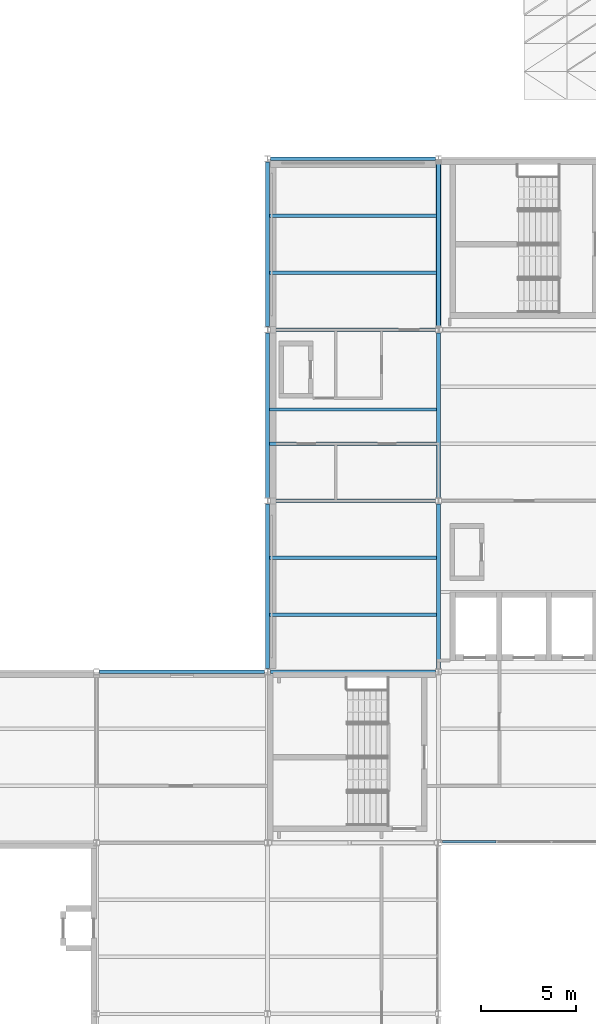
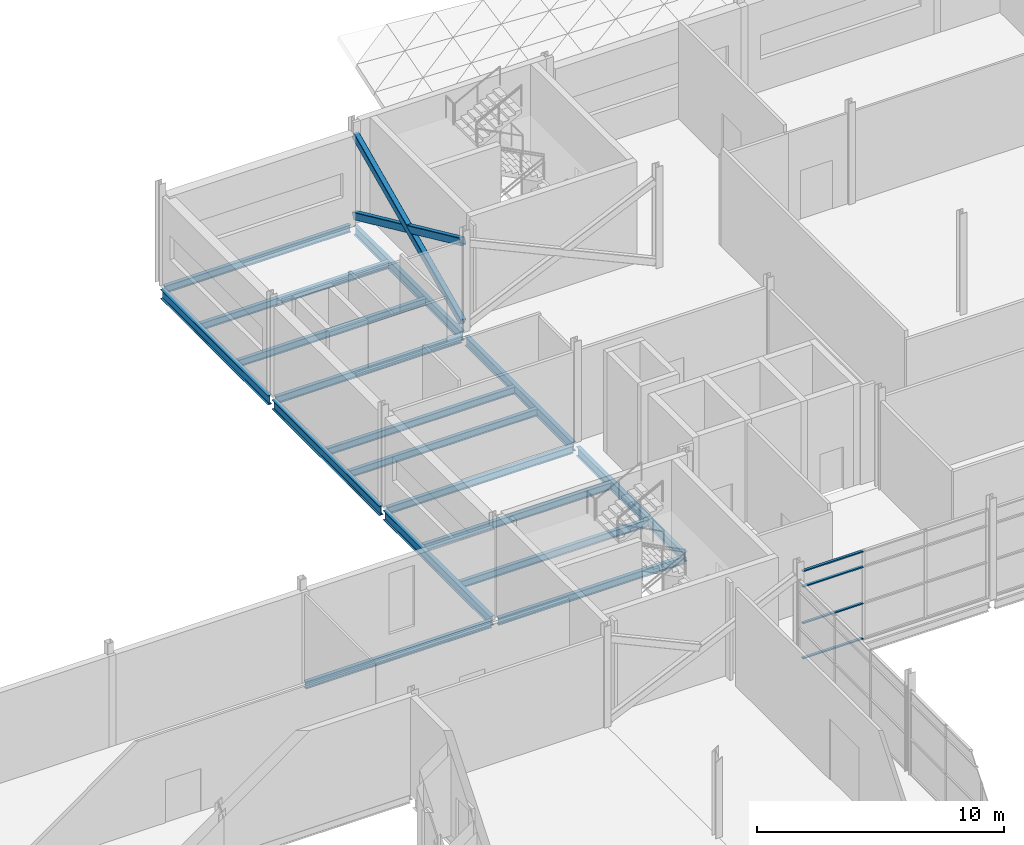
# One storey, part 42 of 112: 17 beams, 6 members, 1 element without a shape of its own.
"""IFC4 building model written with IfcOpenShell, lengths in metres."""

from ifc_helpers import new_model, si_unit, direction, frame, origin, origin_2d, place, context, subcontext, project, spatial, hollow_rectangle, i_section, extrude, material, layer, layer_set, material_profile, profile_set, type_object, element, aggregate, save


model = new_model("IFC4")

# Units and contexts
model_context = context("Model", 3, precision=1e-05, world=origin(), true_north=direction((0.0, 1.0)))
body_context = subcontext(model_context, "Body", "Model", "MODEL_VIEW")
ifc_project = project(units=[si_unit("LENGTHUNIT", "METRE"), si_unit("AREAUNIT", "SQUARE_METRE"), si_unit("VOLUMEUNIT", "CUBIC_METRE"), si_unit("PLANEANGLEUNIT", "RADIAN"), si_unit("MASSUNIT", "GRAM", prefix="KILO")], contexts=[model_context])

# Site, building, storey
site_placement = place(None, origin())
site = spatial("IfcSite", under=ifc_project, at=site_placement, CompositionType="ELEMENT")
building_placement = place(site_placement, origin())
building = spatial("IfcBuilding", under=site, at=building_placement, Name="Shorebreak Coast Museum", CompositionType="ELEMENT")
storey_placement = place(building_placement, frame((0.0, 0.0, 6.0)))
storey = spatial("IfcBuildingStorey", under=building, at=storey_placement, Name="L01", CompositionType="ELEMENT", Elevation=6.0)

# Beams
ifc_material_1 = material(Name="Steel Grade 300", Category="steel")
ifc_material_profile_1 = material_profile(ifc_material_1, i_section(OverallWidth=0.1708984375, OverallDepth=0.355712890625, WebThickness=0.00732421875, FlangeThickness=0.011474609375, FilletRadius=0.011474609375, at=origin_2d()), Name="360UB50.7")
ifc_profile_set_1 = profile_set([ifc_material_profile_1], Name="Steel Grade 300")
beam_type_1 = type_object("IfcBeamType", Name="Floor girder east-west 360UB50.7", PredefinedType="BEAM", material=ifc_profile_set_1)
beam_1_placement = place(storey_placement, frame((45.14990234375, 90.0, -0.352783203125), z_axis=(1.0, 0.0, 0.0), x_axis=(0.0, 1.0, 0.0)))
element("IfcBeam", 1, at=beam_1_placement, inside=storey, type_object=beam_type_1, Name="Floor girder east-west L01 6L", PredefinedType="BEAM", context=body_context, shape_type="SweptSolid", body=[
    extrude(i_section(OverallWidth=0.1708984375, OverallDepth=0.355712890625, WebThickness=0.00732421875, FlangeThickness=0.011474609375, FilletRadius=0.011474609375, at=origin_2d()), origin(), (0.0, 0.0, 1.0), 8.694580078125),
])
ifc_material_2 = material(Name="Steel Grade 300", Category="steel")
ifc_material_profile_2 = material_profile(ifc_material_2, i_section(OverallWidth=0.172119140625, OverallDepth=0.358642578125, WebThickness=0.008056640625, FlangeThickness=0.012939453125, FilletRadius=0.011474609375, at=origin_2d()), Name="360UB56.7")
ifc_profile_set_2 = profile_set([ifc_material_profile_2], Name="Steel Grade 300")
beam_type_2 = type_object("IfcBeamType", Name="Floor girder east-west 360UB56.7", PredefinedType="BEAM", material=ifc_profile_set_2)
beam_2_placement = place(storey_placement, frame((54.155517578125, 90.0, -0.354248046875), z_axis=(1.0, 0.0, 0.0), x_axis=(0.0, 1.0, 0.0)))
element("IfcBeam", 2, at=beam_2_placement, inside=storey, type_object=beam_type_2, Name="Floor girder east-west L01 7L", PredefinedType="BEAM", context=body_context, shape_type="SweptSolid", body=[
    extrude(i_section(OverallWidth=0.172119140625, OverallDepth=0.358642578125, WebThickness=0.008056640625, FlangeThickness=0.012939453125, FilletRadius=0.011474609375, at=origin_2d()), origin(), (0.0, 0.0, 1.0), 8.68896484375),
])
for number, where, z_axis, x_axis, name in (
    (3, (54.154541015625, 99.0, -0.354248046875), (1.0, 0.0, 0.0), (0.0, 1.0, 0.0), "Floor girder east-west L01 7M"),
    (4, (54.154541015625, 108.0, -0.354248046875), (1.0, 0.0, 0.0), (0.0, 1.0, 0.0), "Floor girder east-west L01 7N"),
):
    element("IfcBeam", number, at=place(storey_placement, frame(where, z_axis=z_axis, x_axis=x_axis)), inside=storey, type_object=beam_type_2, Name=name, PredefinedType="BEAM", context=body_context, shape_type="SweptSolid", body=[
        extrude(i_section(OverallWidth=0.172119140625, OverallDepth=0.358642578125, WebThickness=0.008056640625, FlangeThickness=0.012939453125, FilletRadius=0.011474609375, at=origin_2d()), origin(), (0.0, 0.0, 1.0), 8.69091796875),
    ])
beam_3_placement = place(storey_placement, frame((54.155517578125, 117.0, -0.354248046875), z_axis=(1.0, 0.0, 0.0), x_axis=(0.0, 1.0, 0.0)))
element("IfcBeam", 5, at=beam_3_placement, inside=storey, type_object=beam_type_2, Name="Floor girder east-west L01 7P", PredefinedType="BEAM", context=body_context, shape_type="SweptSolid", body=[
    extrude(i_section(OverallWidth=0.172119140625, OverallDepth=0.358642578125, WebThickness=0.008056640625, FlangeThickness=0.012939453125, FilletRadius=0.011474609375, at=origin_2d()), origin(), (0.0, 0.0, 1.0), 8.68896484375),
])
ifc_material_3 = material(Name="Steel Grade 300", Category="steel")
ifc_material_profile_3 = material_profile(ifc_material_3, i_section(OverallWidth=0.19091796875, OverallDepth=0.46044921875, WebThickness=0.010009765625, FlangeThickness=0.01611328125, FilletRadius=0.011474609375, at=origin_2d()), Name="460UB82.1")
ifc_profile_set_3 = profile_set([ifc_material_profile_3], Name="Steel Grade 300")
beam_type_3 = type_object("IfcBeamType", Name="Floor girder north-south 460UB82.1", PredefinedType="BEAM", material=ifc_profile_set_3)
for number, where, z_axis, x_axis, name in (
    (6, (54.0, 90.16357421875, -0.4052734375), (0.0, 1.0, 0.0), (-1.0, 0.0, 0.0), "Floor girder north-south L01 7L"),
    (7, (63.0, 90.16357421875, -0.4052734375), (0.0, 1.0, 0.0), (-1.0, 0.0, 0.0), "Floor girder north-south L01 8L"),
):
    element("IfcBeam", number, at=place(storey_placement, frame(where, z_axis=z_axis, x_axis=x_axis)), inside=storey, type_object=beam_type_3, Name=name, PredefinedType="BEAM", context=body_context, shape_type="SweptSolid", body=[
        extrude(i_section(OverallWidth=0.19091796875, OverallDepth=0.46044921875, WebThickness=0.010009765625, FlangeThickness=0.01611328125, FilletRadius=0.011474609375, at=origin_2d()), origin(), (0.0, 0.0, 1.0), 8.676025390625),
    ])
for number, where, z_axis, x_axis, name in (
    (8, (54.0, 99.160400390625, -0.4052734375), (0.0, 1.0, 0.0), (-1.0, 0.0, 0.0), "Floor girder north-south L01 7M"),
    (9, (63.0, 99.160400390625, -0.4052734375), (0.0, 1.0, 0.0), (-1.0, 0.0, 0.0), "Floor girder north-south L01 8M"),
):
    element("IfcBeam", number, at=place(storey_placement, frame(where, z_axis=z_axis, x_axis=x_axis)), inside=storey, type_object=beam_type_3, Name=name, PredefinedType="BEAM", context=body_context, shape_type="SweptSolid", body=[
        extrude(i_section(OverallWidth=0.19091796875, OverallDepth=0.46044921875, WebThickness=0.010009765625, FlangeThickness=0.01611328125, FilletRadius=0.011474609375, at=origin_2d()), origin(), (0.0, 0.0, 1.0), 8.67919921875),
    ])
for number, where, z_axis, x_axis, name in (
    (10, (54.0, 108.160400390625, -0.4052734375), (0.0, 1.0, 0.0), (-1.0, 0.0, 0.0), "Floor girder north-south L01 7N"),
    (11, (63.0, 108.160400390625, -0.4052734375), (0.0, 1.0, 0.0), (-1.0, 0.0, 0.0), "Floor girder north-south L01 8N"),
):
    element("IfcBeam", number, at=place(storey_placement, frame(where, z_axis=z_axis, x_axis=x_axis)), inside=storey, type_object=beam_type_3, Name=name, PredefinedType="BEAM", context=body_context, shape_type="SweptSolid", body=[
        extrude(i_section(OverallWidth=0.19091796875, OverallDepth=0.46044921875, WebThickness=0.010009765625, FlangeThickness=0.01611328125, FilletRadius=0.011474609375, at=origin_2d()), origin(), (0.0, 0.0, 1.0), 8.676025390625),
    ])
ifc_material_4 = material(Name="Steel Grade 300", Category="steel")
ifc_material_profile_4 = material_profile(ifc_material_4, i_section(OverallWidth=0.1708984375, OverallDepth=0.35205078125, WebThickness=0.0068359375, FlangeThickness=0.009765625, FilletRadius=0.011474609375, at=origin_2d()), Name="360UB44.7")
ifc_profile_set_4 = profile_set([ifc_material_profile_4], Name="Steel Grade 300")
beam_type_4 = type_object("IfcBeamType", Name="Floor joist 360UB44.7", PredefinedType="JOIST", material=ifc_profile_set_4)
for number, where, z_axis, x_axis, name in (
    (12, (54.095458984375, 93.0, -0.35107421875), (1.0, 0.0, 0.0), (0.0, 1.0, 0.0), "Floor joist L01 bay 7L at 3000 mm"),
    (13, (54.095458984375, 96.0, -0.35107421875), (1.0, 0.0, 0.0), (0.0, 1.0, 0.0), "Floor joist L01 bay 7L at 6000 mm"),
    (14, (54.095458984375, 102.0, -0.35107421875), (1.0, 0.0, 0.0), (0.0, 1.0, 0.0), "Floor joist L01 bay 7M at 3000 mm"),
    (15, (54.095458984375, 103.800048828125, -0.35107421875), (1.0, 0.0, 0.0), (0.0, 1.0, 0.0), "Floor joist L01 bay 7M at 4800 mm"),
    (16, (54.095458984375, 111.0, -0.35107421875), (1.0, 0.0, 0.0), (0.0, 1.0, 0.0), "Floor joist L01 bay 7N at 3000 mm"),
    (17, (54.095458984375, 114.0, -0.35107421875), (1.0, 0.0, 0.0), (0.0, 1.0, 0.0), "Floor joist L01 bay 7N at 6000 mm"),
):
    element("IfcBeam", number, at=place(storey_placement, frame(where, z_axis=z_axis, x_axis=x_axis)), inside=storey, type_object=beam_type_4, Name=name, PredefinedType="JOIST", context=body_context, shape_type="SweptSolid", body=[
        extrude(i_section(OverallWidth=0.1708984375, OverallDepth=0.35205078125, WebThickness=0.0068359375, FlangeThickness=0.009765625, FilletRadius=0.011474609375, at=origin_2d()), origin(), (0.0, 0.0, 1.0), 8.80908203125),
    ])

# Curtain wall, members
ifc_material_5 = material(Name="Aluminium", Category="aluminium")
ifc_layer = layer(ifc_material_5, 0.1201171875)
ifc_layer_set = layer_set([ifc_layer], Name="Aluminium")
curtain_wall_type = type_object("IfcCurtainWallType", Name="Atrium fire screen", PredefinedType="NOTDEFINED", material=ifc_layer_set)
curtain_wall_placement = place(storey_placement, origin())
curtain_wall = element("IfcCurtainWall", 18, at=curtain_wall_placement, inside=storey, type_object=curtain_wall_type, Name="Atrium screen L01 N 7", PredefinedType="NOTDEFINED")
ifc_material_6 = material(Name="Aluminium", Category="aluminium")
ifc_material_profile_5 = material_profile(ifc_material_6, hollow_rectangle(XDim=0.1201171875, YDim=0.06005859375, WallThickness=0.00341796875, at=origin_2d()), Name="AL 60x120 RHS")
ifc_profile_set_5 = profile_set([ifc_material_profile_5], Name="Aluminium")
member_type_1 = type_object("IfcMemberType", Name="Screen transom 120 x 50", PredefinedType="USERDEFINED", material=ifc_profile_set_5)
member_1_placement = place(storey_placement, frame((63.20556640625, 81.06005859375, 0.06005859375), z_axis=(1.0, 0.0, 0.0), x_axis=(0.0, 1.0, 0.0)))
member_1 = element("IfcMember", 19, at=member_1_placement, type_object=member_type_1, Name="CW5 transom 1.1", ObjectType="TRANSOM", PredefinedType="USERDEFINED", context=body_context, shape_type="SweptSolid", body=[
    extrude(hollow_rectangle(XDim=0.1201171875, YDim=0.06005859375, WallThickness=0.00341796875, at=origin_2d()), origin(), (0.0, 0.0, 1.0), 2.8212890625),
])
member_2_placement = place(storey_placement, frame((63.20556640625, 81.06005859375, 1.800048828125), z_axis=(1.0, 0.0, 0.0), x_axis=(0.0, 1.0, 0.0)))
member_2 = element("IfcMember", 20, at=member_2_placement, type_object=member_type_1, Name="CW5 transom 1.2", ObjectType="TRANSOM", PredefinedType="USERDEFINED", context=body_context, shape_type="SweptSolid", body=[
    extrude(hollow_rectangle(XDim=0.1201171875, YDim=0.06005859375, WallThickness=0.00341796875, at=origin_2d()), origin(), (0.0, 0.0, 1.0), 2.8212890625),
])
member_3_placement = place(storey_placement, frame((63.20556640625, 81.06005859375, 3.60009765625), z_axis=(1.0, 0.0, 0.0), x_axis=(0.0, 1.0, 0.0)))
member_3 = element("IfcMember", 21, at=member_3_placement, type_object=member_type_1, Name="CW5 transom 1.3", ObjectType="TRANSOM", PredefinedType="USERDEFINED", context=body_context, shape_type="SweptSolid", body=[
    extrude(hollow_rectangle(XDim=0.1201171875, YDim=0.06005859375, WallThickness=0.00341796875, at=origin_2d()), origin(), (0.0, 0.0, 1.0), 2.8212890625),
])
member_4_placement = place(storey_placement, frame((63.20556640625, 81.06005859375, 4.3623046875), z_axis=(1.0, 0.0, 0.0), x_axis=(0.0, 1.0, 0.0)))
member_4 = element("IfcMember", 22, at=member_4_placement, type_object=member_type_1, Name="CW5 transom 1.4", ObjectType="TRANSOM", PredefinedType="USERDEFINED", context=body_context, shape_type="SweptSolid", body=[
    extrude(hollow_rectangle(XDim=0.1201171875, YDim=0.06005859375, WallThickness=0.00341796875, at=origin_2d()), origin(), (0.0, 0.0, 1.0), 2.8212890625),
])
aggregate(curtain_wall, [member_1, member_2, member_3, member_4])

# Members
ifc_material_7 = material(Name="Steel Grade C450L0", Category="steel")
ifc_material_profile_6 = material_profile(ifc_material_7, hollow_rectangle(XDim=0.25, YDim=0.35009765625, WallThickness=0.012451171875, InnerFilletRadius=0.018798828125, OuterFilletRadius=0.03125, at=origin_2d()), Name="350x250x12.5 RHS")
ifc_profile_set_6 = profile_set([ifc_material_profile_6], Name="Steel Grade C450L0")
member_type_2 = type_object("IfcMemberType", Name="X-brace 350x250x12.5 RHS", PredefinedType="BRACE", material=ifc_profile_set_6)
for number, where, z_axis, x_axis, name in (
    (23, (63.0, 108.160400390625, 0.300048828125), (0.0, 0.909130621728, 0.416511119463), (-1.0, 0.0, 0.0), "X-brace bay 10 L01 diagonal 1"),
    (24, (63.0, 116.83642578125, 0.300048828125), (0.0, -0.909130621728, 0.416511119463), (1.0, 0.0, 0.0), "X-brace bay 10 L01 diagonal 2"),
):
    element("IfcMember", number, at=place(storey_placement, frame(where, z_axis=z_axis, x_axis=x_axis)), inside=storey, type_object=member_type_2, Name=name, PredefinedType="BRACE", context=body_context, shape_type="SweptSolid", body=[
        extrude(hollow_rectangle(XDim=0.25, YDim=0.35009765625, WallThickness=0.012451171875, InnerFilletRadius=0.018798828125, OuterFilletRadius=0.03125, at=origin_2d()), origin(), (0.0, 0.0, 1.0), 9.543212890625),
    ])

save(model, "model.ifc")
